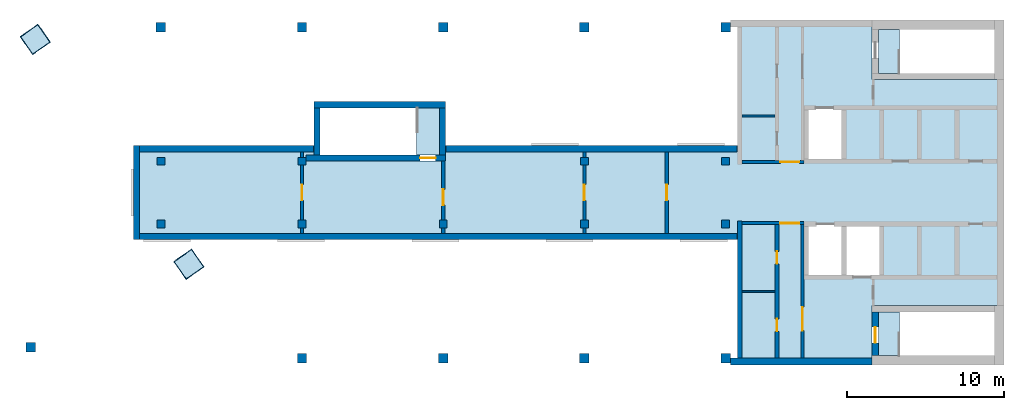
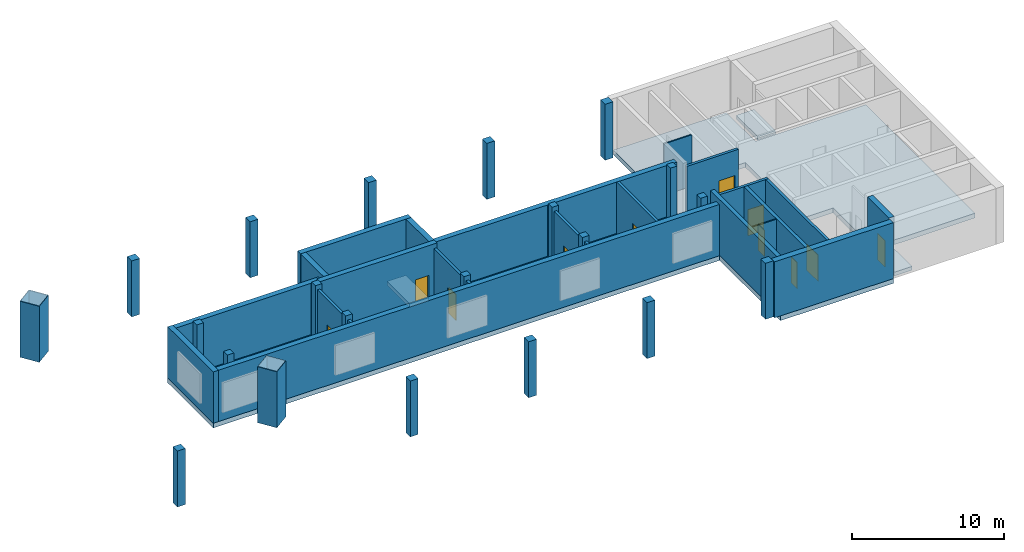
# One storey, part 1 of 3: 21 columns, 21 walls, 11 doors, 4 slabs, 2 plates, 11 openings.
"""IFC4 building model written with IfcOpenShell, lengths in metres."""

import ifcopenshell
import ifcopenshell.guid

model = None  # the IFC model being written
_history = None  # IfcOwnerHistory: only IFC2X3 demands one
_inside = {}  # id of a spatial element -> (the spatial element, [elements in it])
_under = {}  # id of a project, library or spatial element -> (it, [spatial elements below it])
_declared = {}  # id of a project -> (the project, [libraries it declares])
_typed = {}  # id of a type object -> (the type object, [elements of that type])
_made_of = {}  # id of a material, layer set ... -> (it, [elements and type objects made of it])


def new_model(schema):
    """Start an empty IFC model of exactly this schema.

    Asked for "IFC4X3", IfcOpenShell would pick the latest addendum, in which some entities
    have other attributes; the version numbers below select the first issue.
    IFC2X3 requires an IfcOwnerHistory on every rooted entity: one is made here for all.
    """
    global model, _history
    if schema == "IFC4X3":
        model = ifcopenshell.file(schema_version=(4, 3, 0, 0))
    else:
        model = ifcopenshell.file(schema=schema)
    _inside.clear()
    _under.clear()
    _declared.clear()
    _typed.clear()
    _made_of.clear()
    _history = None
    if model.schema == "IFC2X3":
        org = make("IfcOrganization", Name="unknown")
        user = make(
            "IfcPersonAndOrganization",
            ThePerson=make("IfcPerson", FamilyName="unknown"),
            TheOrganization=org,
        )
        app = make(
            "IfcApplication",
            ApplicationDeveloper=org,
            Version="unknown",
            ApplicationFullName="unknown",
            ApplicationIdentifier="unknown",
        )
        _history = make(
            "IfcOwnerHistory",
            OwningUser=user,
            OwningApplication=app,
            ChangeAction="ADDED",
            CreationDate=0,
        )
    return model


def make(cls, **values):
    """One entity of the class cls with the attributes given. An attribute that is None is left unset."""
    return model.create_entity(
        cls, **{name: value for name, value in values.items() if value is not None}
    )


def rooted(cls, **values):
    """An entity with a GlobalId (a new one), such as an element, a storey or a relation."""
    return make(cls, GlobalId=ifcopenshell.guid.new(), OwnerHistory=_history, **values)


def si_unit(unit_type, name, prefix=None):
    """IfcSIUnit, for example si_unit("LENGTHUNIT", "METRE", prefix="MILLI")."""
    return make("IfcSIUnit", UnitType=unit_type, Prefix=prefix, Name=name)


def assignment(units):
    """IfcUnitAssignment: the units of a project."""
    return None if units is None else make("IfcUnitAssignment", Units=units)


def point(xyz):
    """IfcCartesianPoint."""
    return None if xyz is None else make("IfcCartesianPoint", Coordinates=xyz)


def direction(xyz):
    """IfcDirection."""
    return None if xyz is None else make("IfcDirection", DirectionRatios=xyz)


def frame(location, z_axis=None, x_axis=None):
    """IfcAxis2Placement3D, a coordinate frame: its origin and axes. An axis left out is left unset."""
    return make(
        "IfcAxis2Placement3D",
        Location=point(location),
        Axis=direction(z_axis),
        RefDirection=direction(x_axis),
    )


def frame_2d(location, x_axis=None):
    """IfcAxis2Placement2D, a coordinate frame in the plane: its origin and x axis."""
    return make(
        "IfcAxis2Placement2D", Location=point(location), RefDirection=direction(x_axis)
    )


def origin():
    """The frame at (0, 0, 0) with its axes left unset."""
    return frame((0.0, 0.0, 0.0))


def origin_2d():
    """The frame at (0, 0) in the plane with its x axis left unset."""
    return frame_2d((0.0, 0.0))


def place(relative_to, where):
    """IfcLocalPlacement: puts the frame where relative to a parent placement (None: the world)."""
    return make(
        "IfcLocalPlacement", PlacementRelTo=relative_to, RelativePlacement=where
    )


def context(
    kind, dimensions, precision=None, world=None, true_north=None, identifier=None
):
    """IfcGeometricRepresentationContext, for example the 3D "Model" context."""
    return make(
        "IfcGeometricRepresentationContext",
        ContextIdentifier=identifier,
        ContextType=kind,
        CoordinateSpaceDimension=dimensions,
        Precision=precision,
        WorldCoordinateSystem=world,
        TrueNorth=true_north,
    )


def subcontext(parent, identifier, kind, view, scale=None):
    """IfcGeometricRepresentationSubContext, for example "Body" below "Model"."""
    return make(
        "IfcGeometricRepresentationSubContext",
        ContextIdentifier=identifier,
        ContextType=kind,
        ParentContext=parent,
        TargetScale=scale,
        TargetView=view,
    )


def project(units=None, contexts=None):
    """IfcProject with its units and contexts."""
    return rooted(
        "IfcProject",
        Name="project",
        RepresentationContexts=contexts,
        UnitsInContext=assignment(units),
    )


def spatial(cls, under=None, at=None, **own):
    """A site, building, storey or space (cls), placed at a placement, below another one or the project."""
    s = rooted(cls, ObjectPlacement=at, **own)
    if under is not None:
        _under.setdefault(under.id(), (under, []))[1].append(s)
    return s


def polyline(points):
    """IfcPolyline through the points."""
    return make("IfcPolyline", Points=[point(p) for p in points])


def profile(cls, at=None, kind="AREA", **sizes):
    """A parametric profile (cls). Its sizes go by their IFC names, for example OverallWidth=200.0."""
    return make(cls, ProfileType=kind, Position=at, **sizes)


def rectangle(**sizes):
    """IfcRectangleProfileDef."""
    return profile("IfcRectangleProfileDef", **sizes)


def hollow_rectangle(**sizes):
    """IfcRectangleHollowProfileDef."""
    return profile("IfcRectangleHollowProfileDef", **sizes)


def outline(outer, holes=None, kind="AREA"):
    """IfcArbitraryClosedProfileDef: a profile drawn as a closed curve; with holes, ...WithVoids."""
    if holes is None:
        return make("IfcArbitraryClosedProfileDef", ProfileType=kind, OuterCurve=outer)
    return make(
        "IfcArbitraryProfileDefWithVoids",
        ProfileType=kind,
        OuterCurve=outer,
        InnerCurves=holes,
    )


def extrude(swept, where, along, depth):
    """IfcExtrudedAreaSolid: the profile swept, set in the frame where, extruded along a direction by depth."""
    return make(
        "IfcExtrudedAreaSolid",
        SweptArea=swept,
        Position=where,
        ExtrudedDirection=direction(along),
        Depth=depth,
    )


def shape(context_of_items, identifier, shape_type, items):
    """IfcShapeRepresentation: the items that make up one representation, for example the "Body"."""
    return make(
        "IfcShapeRepresentation",
        ContextOfItems=context_of_items,
        RepresentationIdentifier=identifier,
        RepresentationType=shape_type,
        Items=items,
    )


def material(Name=None, Category=None):
    """IfcMaterial."""
    return make("IfcMaterial", Name=Name, Category=Category)


def layer(
    of_material, thickness, ventilated=None, Name=None, Category=None, Priority=None
):
    """IfcMaterialLayer: one layer of a wall or slab, of a material (None: an air gap)."""
    return make(
        "IfcMaterialLayer",
        Material=of_material,
        LayerThickness=thickness,
        IsVentilated=ventilated,
        Name=Name,
        Category=Category,
        Priority=Priority,
    )


def layer_set(layers, Name=None):
    """IfcMaterialLayerSet."""
    return make("IfcMaterialLayerSet", MaterialLayers=layers, LayerSetName=Name)


def material_profile(
    of_material, cross_section, Name=None, Category=None, Priority=None
):
    """IfcMaterialProfile: a cross section and its material."""
    return make(
        "IfcMaterialProfile",
        Name=Name,
        Material=of_material,
        Profile=cross_section,
        Priority=Priority,
        Category=Category,
    )


def profile_set(profiles, Name=None, composite=None):
    """IfcMaterialProfileSet."""
    return make(
        "IfcMaterialProfileSet",
        Name=Name,
        MaterialProfiles=profiles,
        CompositeProfile=composite,
    )


def made_of(thing, what):
    """Note that an element or type object is made of a material, layer set ...; save() writes the relation."""
    if what is not None:
        _made_of.setdefault(what.id(), (what, []))[1].append(thing)
    return thing


def type_object(cls, material=None, **own):
    """A type object (cls), such as IfcWallType, which elements share."""
    return made_of(rooted(cls, **own), material)


def element(
    cls,
    number,
    at=None,
    inside=None,
    cuts=None,
    type_object=None,
    material=None,
    context=None,
    identifier="Body",
    shape_type=None,
    held_by="IfcProductDefinitionShape",
    body=None,
    shapes=None,
    **own,
):
    """One element of the class cls, such as IfcWall. Its Tag is "e" and its number.

    at: its placement. inside: the storey or other place that contains it. cuts: it is an
    opening in that element (IfcRelVoidsElement). A single representation is given by context,
    identifier, shape_type and body (its items); several are given by shapes. held_by: the class
    of the entity that holds the representations. save() writes the other relations.
    """
    e = rooted(cls, Tag="e%d" % number, ObjectPlacement=at, **own)
    if body is not None:
        shapes = [shape(context, identifier, shape_type, body)]
    if shapes is not None:
        e.Representation = make(held_by, Representations=shapes)
    if inside is not None:
        _inside.setdefault(inside.id(), (inside, []))[1].append(e)
    if cuts is not None:
        rooted(
            "IfcRelVoidsElement", RelatingBuildingElement=cuts, RelatedOpeningElement=e
        )
    if type_object is not None:
        _typed.setdefault(type_object.id(), (type_object, []))[1].append(e)
    return made_of(e, material)


def fill(opening, filler):
    """IfcRelFillsElement: the door or window that sits in an opening."""
    return rooted(
        "IfcRelFillsElement",
        RelatingOpeningElement=opening,
        RelatedBuildingElement=filler,
    )


def aggregate(whole, parts):
    """IfcRelAggregates: a whole, such as a stair, and the parts it consists of."""
    return rooted("IfcRelAggregates", RelatingObject=whole, RelatedObjects=parts)


def save(model, path):
    """Write the relations noted so far, then the file.

    IfcRelAggregates (storeys below a building ...), IfcRelContainedInSpatialStructure (elements
    in a storey), IfcRelDefinesByType, IfcRelAssociatesMaterial and IfcRelDeclares: one each for
    every whole, place, type object, material and project.
    """
    for whole, parts in _under.values():
        aggregate(whole, parts)
    for where, things in _inside.values():
        rooted(
            "IfcRelContainedInSpatialStructure",
            RelatedElements=things,
            RelatingStructure=where,
        )
    for kind, things in _typed.values():
        rooted("IfcRelDefinesByType", RelatedObjects=things, RelatingType=kind)
    for what, things in _made_of.values():
        rooted("IfcRelAssociatesMaterial", RelatedObjects=things, RelatingMaterial=what)
    for by, libraries in _declared.values():
        rooted("IfcRelDeclares", RelatingContext=by, RelatedDefinitions=libraries)
    model.write(path)


model = new_model("IFC4")

# Units and contexts
model_context = context("Model", 3, precision=1e-05, world=origin(), true_north=direction((0.0, 1.0)))
body_context = subcontext(model_context, "Body", "Model", "MODEL_VIEW")
ifc_project = project(units=[si_unit("LENGTHUNIT", "METRE"), si_unit("AREAUNIT", "SQUARE_METRE"), si_unit("VOLUMEUNIT", "CUBIC_METRE"), si_unit("PLANEANGLEUNIT", "RADIAN"), si_unit("MASSUNIT", "GRAM", prefix="KILO")], contexts=[model_context])

# Site, building, storey
site_placement = place(None, origin())
site = spatial("IfcSite", under=ifc_project, at=site_placement, CompositionType="ELEMENT")
building_placement = place(site_placement, origin())
building = spatial("IfcBuilding", under=site, at=building_placement, Name="Skarvind Civic Tower", CompositionType="ELEMENT")
storey_placement = place(building_placement, frame((0.0, 0.0, 295.5)))
storey = spatial("IfcBuildingStorey", under=building, at=storey_placement, Name="L70", CompositionType="ELEMENT", Elevation=295.5)

# Columns
ifc_material_1 = material(Name="Concrete C60", Category="concrete")
ifc_material_profile_1 = material_profile(ifc_material_1, rectangle(XDim=0.5, YDim=0.5, at=origin_2d()), Name="RC-500x500")
ifc_profile_set_1 = profile_set([ifc_material_profile_1], Name="Concrete C60")
column_type_1 = type_object("IfcColumnType", Name="Column RC-500x500 C60", PredefinedType="COLUMN", material=ifc_profile_set_1)
for number, where, z_axis, x_axis, name in (
    (1, (54.25, 130.0, 0.0), (0.0, 0.0, 1.0), (1.0, 0.0, 0.0), "Column wing 1 north inner 02 L70"),
    (2, (63.25, 130.0, 0.0), (0.0, 0.0, 1.0), (1.0, 0.0, 0.0), "Column wing 1 north inner 03 L70"),
    (3, (81.25, 130.0, 0.0), (0.0, 0.0, 1.0), (1.0, 0.0, 0.0), "Column wing 1 north inner 05 L70"),
    (4, (90.25, 130.0, 0.0), (0.0, 0.0, 1.0), (1.0, 0.0, 0.0), "Column wing 1 north inner 06 L70"),
    (5, (54.25, 126.0, 0.0), (0.0, 0.0, 1.0), (1.0, 0.0, 0.0), "Column wing 1 south inner 02 L70"),
    (6, (63.25, 126.0, 0.0), (0.0, 0.0, 1.0), (1.0, 0.0, 0.0), "Column wing 1 south inner 03 L70"),
    (7, (72.25, 126.0, 0.0), (0.0, 0.0, 1.0), (1.0, 0.0, 0.0), "Column wing 1 south inner 04 L70"),
    (8, (81.25, 126.0, 0.0), (0.0, 0.0, 1.0), (1.0, 0.0, 0.0), "Column wing 1 south inner 05 L70"),
    (9, (90.25, 126.0, 0.0), (0.0, 0.0, 1.0), (1.0, 0.0, 0.0), "Column wing 1 south inner 06 L70"),
):
    element("IfcColumn", number, at=place(storey_placement, frame(where, z_axis=z_axis, x_axis=x_axis)), inside=storey, type_object=column_type_1, Name=name, PredefinedType="COLUMN", context=body_context, shape_type="SweptSolid", body=[
        extrude(rectangle(XDim=0.5, YDim=0.5, at=origin_2d()), origin(), (0.0, 0.0, 1.0), 4.5),
    ])
ifc_material_profile_2 = material_profile(ifc_material_1, rectangle(XDim=0.60009765625, YDim=0.60009765625, at=origin_2d()), Name="RC-600x600")
ifc_profile_set_2 = profile_set([ifc_material_profile_2], Name="Concrete C60")
column_type_2 = type_object("IfcColumnType", Name="Column RC-600x600 C60", PredefinedType="COLUMN", material=ifc_profile_set_2)
for number, where, z_axis, x_axis, name in (
    (10, (54.25, 138.550048828125, 0.0), (0.0, 0.0, 1.0), (1.0, 0.0, 0.0), "Column wing 1 north perimeter 02 L70"),
    (11, (63.25, 138.550048828125, 0.0), (0.0, 0.0, 1.0), (1.0, 0.0, 0.0), "Column wing 1 north perimeter 03 L70"),
    (12, (72.25, 138.550048828125, 0.0), (0.0, 0.0, 1.0), (1.0, 0.0, 0.0), "Column wing 1 north perimeter 04 L70"),
    (13, (81.25, 138.550048828125, 0.0), (0.0, 0.0, 1.0), (1.0, 0.0, 0.0), "Column wing 1 north perimeter 05 L70"),
    (14, (90.25, 138.550048828125, 0.0), (0.0, 0.0, 1.0), (1.0, 0.0, 0.0), "Column wing 1 north perimeter 06 L70"),
    (15, (45.95166015625, 118.151611328125, 0.0), (0.0, 0.0, 1.0), (1.0, 0.0, 0.0), "Column wing 1 south perimeter 01 L70"),
    (16, (63.25, 117.449951171875, 0.0), (0.0, 0.0, 1.0), (1.0, 0.0, 0.0), "Column wing 1 south perimeter 03 L70"),
    (17, (72.25, 117.449951171875, 0.0), (0.0, 0.0, 1.0), (1.0, 0.0, 0.0), "Column wing 1 south perimeter 04 L70"),
    (18, (81.25, 117.449951171875, 0.0), (0.0, 0.0, 1.0), (1.0, 0.0, 0.0), "Column wing 1 south perimeter 05 L70"),
    (19, (90.25, 117.449951171875, 0.0), (0.0, 0.0, 1.0), (1.0, 0.0, 0.0), "Column wing 1 south perimeter 06 L70"),
):
    element("IfcColumn", number, at=place(storey_placement, frame(where, z_axis=z_axis, x_axis=x_axis)), inside=storey, type_object=column_type_2, Name=name, PredefinedType="COLUMN", context=body_context, shape_type="SweptSolid", body=[
        extrude(rectangle(XDim=0.60009765625, YDim=0.60009765625, at=origin_2d()), origin(), (0.0, 0.0, 1.0), 4.5),
    ])
ifc_material_2 = material(Name="Composite concrete-filled steel tube, Steel SM355 with Concrete C60", Category="concrete")
ifc_material_profile_3 = material_profile(ifc_material_2, hollow_rectangle(XDim=1.39990234375, YDim=1.39990234375, WallThickness=0.02490234375, at=origin_2d()), Name="BOX-1400x1400x25")
ifc_profile_set_3 = profile_set([ifc_material_profile_3], Name="Composite concrete-filled steel tube, Steel SM355 with Concrete C60")
column_type_3 = type_object("IfcColumnType", Name="Mega column BOX-1400x1400x25 filled C60", PredefinedType="COLUMN", material=ifc_profile_set_3)
for number, where, z_axis, x_axis, name in (
    (20, (46.2470703125, 137.762451171875, 0.0), (0.0, 0.0, 1.0), (0.573576436351, -0.819152044289, 0.0), "Mega column 2 L70"),
    (21, (56.0361328125, 123.43017578125, 0.0), (0.0, 0.0, 1.0), (0.573576436351, -0.819152044289, 0.0), "Mega column 4 L70"),
):
    element("IfcColumn", number, at=place(storey_placement, frame(where, z_axis=z_axis, x_axis=x_axis)), inside=storey, type_object=column_type_3, Name=name, PredefinedType="COLUMN", context=body_context, shape_type="SweptSolid", body=[
        extrude(hollow_rectangle(XDim=1.39990234375, YDim=1.39990234375, WallThickness=0.02490234375, at=origin_2d()), origin(), (0.0, 0.0, 1.0), 4.5),
    ])

# Slab
ifc_material_3 = material(Name="Concrete C50", Category="concrete")
ifc_layer_1 = layer(ifc_material_3, 0.375)
ifc_layer_set_1 = layer_set([ifc_layer_1], Name="Floor slab 375 C50")
slab_type_1 = type_object("IfcSlabType", Name="Floor slab 375 C50", PredefinedType="FLOOR", material=ifc_layer_set_1)
slab_1_placement = place(storey_placement, frame((0.0, 0.0, -0.375)))
element("IfcSlab", 22, at=slab_1_placement, inside=storey, type_object=slab_type_1, Name="Floor slab L70 1", PredefinedType="FLOOR", context=body_context, shape_type="SweptSolid", body=[
    extrude(outline(polyline([(99.60009765625, 117.0), (99.60009765625, 120.800048828125), (108.0, 120.800048828125), (108.0, 135.199951171875), (99.60009765625, 135.199951171875), (99.60009765625, 139.0), (91.0, 139.0), (91.0, 131.0), (72.39990234375, 131.0), (72.39990234375, 130.0), (64.0, 130.0), (64.0, 131.0), (52.5, 131.0), (52.5, 125.0), (91.0, 125.0), (91.0, 117.0), (99.60009765625, 117.0)]), holes=[polyline([(97.800048828125, 126.0), (100.199951171875, 126.0), (100.199951171875, 122.60009765625), (97.800048828125, 122.60009765625), (95.39990234375, 122.60009765625), (95.39990234375, 126.0), (97.800048828125, 126.0)]), polyline([(95.39990234375, 130.0), (95.39990234375, 133.39990234375), (97.800048828125, 133.39990234375), (97.800048828125, 130.0), (95.39990234375, 130.0)])]), origin(), (0.0, 0.0, 1.0), 0.375),
])

# Plates
ifc_material_4 = material(Name="Steel SM355", Category="steel")
ifc_layer_2 = layer(ifc_material_4, 0.0400390625)
ifc_layer_set_2 = layer_set([ifc_layer_2], Name="Mega column cap plate 40")
plate_type = type_object("IfcPlateType", Name="Mega column cap plate 40", PredefinedType="USERDEFINED", material=ifc_layer_set_2)
for number, where, z_axis, x_axis, name in (
    (23, (46.2470703125, 137.762451171875, 4.5), (0.0, 0.0, 1.0), (0.573576436351, -0.819152044289, 0.0), "Mega column cap plate 2 L70"),
    (24, (56.0361328125, 123.43017578125, 4.5), (0.0, 0.0, 1.0), (0.573576436351, -0.819152044289, 0.0), "Mega column cap plate 4 L70"),
):
    element("IfcPlate", number, at=place(storey_placement, frame(where, z_axis=z_axis, x_axis=x_axis)), inside=storey, type_object=plate_type, Name=name, ObjectType="CAP PLATE", PredefinedType="USERDEFINED", context=body_context, shape_type="SweptSolid", body=[
        extrude(rectangle(XDim=1.39990234375, YDim=1.39990234375, at=origin_2d()), origin(), (0.0, 0.0, 1.0), 0.0400390625),
    ])

# Slabs
ifc_material_5 = material(Name="Concrete C40/50", Category="concrete")
ifc_layer_3 = layer(ifc_material_5, 0.300048828125)
ifc_layer_set_3 = layer_set([ifc_layer_3], Name="Stair floor landing slab 300")
slab_type_2 = type_object("IfcSlabType", Name="Stair floor landing slab 300", PredefinedType="LANDING", material=ifc_layer_set_3)
slab_2_placement = place(storey_placement, frame((0.0, 0.0, -0.300048828125)))
element("IfcSlab", 25, at=slab_2_placement, inside=storey, type_object=slab_type_2, Name="Stair floor landing", PredefinedType="LANDING", context=body_context, shape_type="SweptSolid", body=[
    extrude(outline(polyline([(101.3505859375, 138.400634765625), (101.3505859375, 135.599365234375), (99.99951171875, 135.599365234375), (99.99951171875, 138.400634765625), (101.3505859375, 138.400634765625)])), origin(), (0.0, 0.0, 1.0), 0.300048828125),
])
slab_3_placement = place(storey_placement, frame((0.0, 0.0, -0.300048828125)))
element("IfcSlab", 26, at=slab_3_placement, inside=storey, type_object=slab_type_2, Name="Stair floor landing", PredefinedType="LANDING", context=body_context, shape_type="SweptSolid", body=[
    extrude(outline(polyline([(101.3505859375, 120.400634765625), (101.3505859375, 117.599365234375), (99.99951171875, 117.599365234375), (99.99951171875, 120.400634765625), (101.3505859375, 120.400634765625)])), origin(), (0.0, 0.0, 1.0), 0.300048828125),
])
slab_4_placement = place(storey_placement, frame((0.0, 0.0, -0.300048828125)))
element("IfcSlab", 27, at=slab_4_placement, inside=storey, type_object=slab_type_2, Name="Stair floor landing", PredefinedType="LANDING", context=body_context, shape_type="SweptSolid", body=[
    extrude(outline(polyline([(70.54931640625, 130.3994140625), (70.54931640625, 133.400634765625), (72.00048828125, 133.400634765625), (72.00048828125, 130.3994140625), (70.54931640625, 130.3994140625)])), origin(), (0.0, 0.0, 1.0), 0.300048828125),
])

# Wall, opening, door
ifc_material_6 = material(Name="Fire-rated masonry partition", Category="masonry")
ifc_layer_4 = layer(ifc_material_6, 0.199951171875)
ifc_layer_set_4 = layer_set([ifc_layer_4], Name="Core enclosure wall 200")
wall_type_1 = type_object("IfcWallType", Name="Core enclosure wall 200", PredefinedType="PARTITIONING", material=ifc_layer_set_4)
wall_1_placement = place(storey_placement, frame((95.25, 126.050048828125, 0.0), z_axis=(0.0, 0.0, 1.0), x_axis=(-1.0, 0.0, 0.0)))
wall_1 = element("IfcWall", 28, at=wall_1_placement, inside=storey, type_object=wall_type_1, Name="Core wall C1", PredefinedType="PARTITIONING", context=body_context, shape_type="SweptSolid", body=[
    extrude(rectangle(XDim=3.949951171875, YDim=0.199951171875, at=frame_2d((1.97509765625, 0.0))), origin(), (0.0, 0.0, 1.0), 4.125),
])
opening_1_placement = place(wall_1_placement, frame((0.300048828125, 0.0, 0.0)))
opening_1 = element("IfcOpeningElement", 29, at=opening_1_placement, cuts=wall_1, Name="Opening D-L70-C1-05", PredefinedType="OPENING", context=body_context, shape_type="SweptSolid", body=[
    extrude(rectangle(XDim=1.199951171875, YDim=2.10009765625, at=frame_2d((0.60009765625, 1.050048828125))), frame((0.0, 0.10986328125, 0.0), z_axis=(0.0, -1.0, 0.0), x_axis=(1.0, 0.0, 0.0)), (0.0, 0.0, 1.0), 0.219970703125),
])
ifc_material_7 = material(Name="Fire-rated steel door", Category="steel")
door_type_1 = type_object("IfcDoorType", Name="Core lobby door 1200", OperationType="NOTDEFINED", PredefinedType="DOOR", material=ifc_material_7)
door_1_placement = place(opening_1_placement, origin())
door_1 = element("IfcDoor", 30, at=door_1_placement, inside=storey, type_object=door_type_1, Name="Fire door", OperationType="DOUBLE_DOOR_SINGLE_SWING", OverallHeight=2.10009765625, OverallWidth=1.199951171875, PredefinedType="DOOR", context=body_context, shape_type="SweptSolid", body=[
    extrude(rectangle(XDim=1.199951171875, YDim=2.10009765625, at=frame_2d((0.60009765625, 1.050048828125))), frame((0.0, 0.02490234375, 0.0), z_axis=(0.0, -1.0, 0.0), x_axis=(1.0, 0.0, 0.0)), (0.0, 0.0, 1.0), 0.050048828125),
])
fill(opening_1, door_1)

wall_2_placement = place(storey_placement, frame((95.14990234375, 117.449951171875, 0.0), z_axis=(0.0, 0.0, 1.0), x_axis=(0.0, 1.0, 0.0)))
wall_2 = element("IfcWall", 31, at=wall_2_placement, inside=storey, type_object=wall_type_1, Name="Core wall C1", PredefinedType="PARTITIONING", context=body_context, shape_type="SweptSolid", body=[
    extrude(rectangle(XDim=8.5, YDim=0.199951171875, at=frame_2d((4.25, 0.0))), origin(), (0.0, 0.0, 1.0), 4.125),
])
opening_2_placement = place(wall_2_placement, frame((1.75, 0.0, 0.0)))
opening_2 = element("IfcOpeningElement", 32, at=opening_2_placement, cuts=wall_2, Name="Opening D-L70-C1-06", PredefinedType="OPENING", context=body_context, shape_type="SweptSolid", body=[
    extrude(rectangle(XDim=1.5, YDim=2.10009765625, at=frame_2d((0.75, 1.050048828125))), frame((0.0, 0.10986328125, 0.0), z_axis=(0.0, -1.0, 0.0), x_axis=(1.0, 0.0, 0.0)), (0.0, 0.0, 1.0), 0.219970703125),
])
door_type_2 = type_object("IfcDoorType", Name="Fire door 1500", OperationType="NOTDEFINED", PredefinedType="DOOR", material=ifc_material_7)
door_2_placement = place(opening_2_placement, origin())
door_2 = element("IfcDoor", 33, at=door_2_placement, inside=storey, type_object=door_type_2, Name="Fire door", OperationType="DOUBLE_DOOR_SINGLE_SWING", OverallHeight=2.10009765625, OverallWidth=1.5, PredefinedType="DOOR", context=body_context, shape_type="SweptSolid", body=[
    extrude(rectangle(XDim=1.5, YDim=2.10009765625, at=frame_2d((0.75, 1.050048828125))), frame((0.0, 0.02490234375, 0.0), z_axis=(0.0, -1.0, 0.0), x_axis=(1.0, 0.0, 0.0)), (0.0, 0.0, 1.0), 0.050048828125),
])
fill(opening_2, door_2)

wall_3_placement = place(storey_placement, frame((91.300048828125, 129.949951171875, 0.0), z_axis=(0.0, 0.0, 1.0), x_axis=(1.0, 0.0, 0.0)))
wall_3 = element("IfcWall", 34, at=wall_3_placement, inside=storey, type_object=wall_type_1, Name="Core wall C1", PredefinedType="PARTITIONING", context=body_context, shape_type="SweptSolid", body=[
    extrude(rectangle(XDim=3.949951171875, YDim=0.199951171875, at=frame_2d((1.97509765625, 0.0))), origin(), (0.0, 0.0, 1.0), 4.125),
])
opening_3_placement = place(wall_3_placement, frame((2.449951171875, 0.0, 0.0)))
opening_3 = element("IfcOpeningElement", 35, at=opening_3_placement, cuts=wall_3, Name="Opening D-L70-C1-11", PredefinedType="OPENING", context=body_context, shape_type="SweptSolid", body=[
    extrude(rectangle(XDim=1.199951171875, YDim=2.10009765625, at=frame_2d((0.60009765625, 1.050048828125))), frame((0.0, 0.10986328125, 0.0), z_axis=(0.0, -1.0, 0.0), x_axis=(1.0, 0.0, 0.0)), (0.0, 0.0, 1.0), 0.219970703125),
])
door_3_placement = place(opening_3_placement, origin())
door_3 = element("IfcDoor", 36, at=door_3_placement, inside=storey, type_object=door_type_1, Name="Fire door", OperationType="DOUBLE_DOOR_SINGLE_SWING", OverallHeight=2.10009765625, OverallWidth=1.199951171875, PredefinedType="DOOR", context=body_context, shape_type="SweptSolid", body=[
    extrude(rectangle(XDim=1.199951171875, YDim=2.10009765625, at=frame_2d((0.60009765625, 1.050048828125))), frame((0.0, 0.02490234375, 0.0), z_axis=(0.0, -1.0, 0.0), x_axis=(1.0, 0.0, 0.0)), (0.0, 0.0, 1.0), 0.050048828125),
])
fill(opening_3, door_3)

# Walls
ifc_material_8 = material(Name="Fire-rated plasterboard partition")
ifc_layer_5 = layer(ifc_material_8, 0.10009765625)
ifc_layer_set_5 = layer_set([ifc_layer_5], Name="Core partition wall 100")
wall_type_2 = type_object("IfcWallType", Name="Core partition wall 100", PredefinedType="PARTITIONING", material=ifc_layer_set_5)
for number, where, z_axis, x_axis, name in (
    (37, (93.39990234375, 121.699951171875, 0.0), (0.0, 0.0, 1.0), (-1.0, 0.0, 0.0), "Core wall C1"),
    (38, (91.300048828125, 132.8798828125, 0.0), (0.0, 0.0, 1.0), (1.0, 0.0, 0.0), "Core wall C1"),
):
    element("IfcWall", number, at=place(storey_placement, frame(where, z_axis=z_axis, x_axis=x_axis)), inside=storey, type_object=wall_type_2, Name=name, PredefinedType="PARTITIONING", context=body_context, shape_type="SweptSolid", body=[
        extrude(rectangle(XDim=2.099853515625, YDim=0.10009765625, at=frame_2d((1.0498046875, 0.0))), origin(), (0.0, 0.0, 1.0), 4.125),
    ])
ifc_layer_6 = layer(ifc_material_1, 0.300048828125)
ifc_layer_set_6 = layer_set([ifc_layer_6], Name="Core wall 300 C60")
wall_type_3 = type_object("IfcWallType", Name="Core wall 300 C60", PredefinedType="SHEAR", material=ifc_layer_set_6)
wall_4_placement = place(storey_placement, frame((91.14990234375, 126.199951171875, 0.0), z_axis=(0.0, 0.0, 1.0), x_axis=(0.0, -1.0, 0.0)))
element("IfcWall", 39, at=wall_4_placement, inside=storey, type_object=wall_type_3, Name="Core wall C1 north inner face L70", PredefinedType="SHEAR", context=body_context, shape_type="SweptSolid", body=[
    extrude(rectangle(XDim=8.75, YDim=0.300048828125, at=frame_2d((4.375, 0.0))), origin(), (0.0, 0.0, 1.0), 4.5),
])

# Wall, opening, door
ifc_layer_7 = layer(ifc_material_1, 0.39990234375)
ifc_layer_set_7 = layer_set([ifc_layer_7], Name="Core wall 400 C60")
wall_type_4 = type_object("IfcWallType", Name="Core wall 400 C60", PredefinedType="SHEAR", material=ifc_layer_set_7)
wall_5_placement = place(storey_placement, frame((99.800048828125, 120.39990234375, 0.0), z_axis=(0.0, 0.0, 1.0), x_axis=(0.0, -1.0, 0.0)))
wall_5 = element("IfcWall", 40, at=wall_5_placement, inside=storey, type_object=wall_type_4, Name="Core wall C1 north stair end L70", PredefinedType="SHEAR", context=body_context, shape_type="SweptSolid", body=[
    extrude(rectangle(XDim=2.7998046875, YDim=0.39990234375, at=frame_2d((1.39990234375, 0.0))), origin(), (0.0, 0.0, 1.0), 4.5),
])
opening_4_placement = place(wall_5_placement, frame((0.97509765625, 0.0, 0.0)))
opening_4 = element("IfcOpeningElement", 41, at=opening_4_placement, cuts=wall_5, Name="Opening D-L70-C1-07", PredefinedType="OPENING", context=body_context, shape_type="SweptSolid", body=[
    extrude(rectangle(XDim=1.0, YDim=2.10009765625, at=frame_2d((0.5, 1.050048828125))), frame((0.0, 0.2099609375, 0.0), z_axis=(0.0, -1.0, 0.0), x_axis=(1.0, 0.0, 0.0)), (0.0, 0.0, 1.0), 0.419921875),
])
door_type_3 = type_object("IfcDoorType", Name="Fire door 1000", OperationType="NOTDEFINED", PredefinedType="DOOR", material=ifc_material_7)
door_4_placement = place(opening_4_placement, origin())
door_4 = element("IfcDoor", 42, at=door_4_placement, inside=storey, type_object=door_type_3, Name="Fire door", OperationType="SINGLE_SWING_LEFT", OverallHeight=2.10009765625, OverallWidth=1.0, PredefinedType="DOOR", context=body_context, shape_type="SweptSolid", body=[
    extrude(rectangle(XDim=1.0, YDim=2.10009765625, at=frame_2d((0.5, 1.050048828125))), frame((0.0, 0.02490234375, 0.0), z_axis=(0.0, -1.0, 0.0), x_axis=(1.0, 0.0, 0.0)), (0.0, 0.0, 1.0), 0.050048828125),
])
fill(opening_4, door_4)

wall_6_placement = place(storey_placement, frame((63.5, 130.199951171875, 0.0), z_axis=(0.0, 0.0, 1.0), x_axis=(1.0, 0.0, 0.0)))
wall_6 = element("IfcWall", 43, at=wall_6_placement, inside=storey, type_object=wall_type_4, Name="Core wall CM inner L70", PredefinedType="SHEAR", context=body_context, shape_type="SweptSolid", body=[
    extrude(rectangle(XDim=8.89990234375, YDim=0.39990234375, at=frame_2d((4.449951171875, 0.0))), origin(), (0.0, 0.0, 1.0), 4.5),
])
opening_5_placement = place(wall_6_placement, frame((7.27490234375, 0.0, 0.0)))
opening_5 = element("IfcOpeningElement", 44, at=opening_5_placement, cuts=wall_6, Name="Opening D-L70-CM-01", PredefinedType="OPENING", context=body_context, shape_type="SweptSolid", body=[
    extrude(rectangle(XDim=1.0, YDim=2.10009765625, at=frame_2d((0.5, 1.050048828125))), frame((0.0, 0.2099609375, 0.0), z_axis=(0.0, -1.0, 0.0), x_axis=(1.0, 0.0, 0.0)), (0.0, 0.0, 1.0), 0.419921875),
])
door_5_placement = place(opening_5_placement, origin())
door_5 = element("IfcDoor", 45, at=door_5_placement, inside=storey, type_object=door_type_3, Name="Fire door", OperationType="SINGLE_SWING_LEFT", OverallHeight=2.10009765625, OverallWidth=1.0, PredefinedType="DOOR", context=body_context, shape_type="SweptSolid", body=[
    extrude(rectangle(XDim=1.0, YDim=2.10009765625, at=frame_2d((0.5, 1.050048828125))), frame((0.0, 0.02490234375, 0.0), z_axis=(0.0, -1.0, 0.0), x_axis=(1.0, 0.0, 0.0)), (0.0, 0.0, 1.0), 0.050048828125),
])
fill(opening_5, door_5)

# Walls
wall_7_placement = place(storey_placement, frame((64.0, 133.60009765625, 0.0), z_axis=(0.0, 0.0, 1.0), x_axis=(1.0, 0.0, 0.0)))
element("IfcWall", 46, at=wall_7_placement, inside=storey, type_object=wall_type_4, Name="Core wall CM outer L70", PredefinedType="SHEAR", context=body_context, shape_type="SweptSolid", body=[
    extrude(rectangle(XDim=8.39990234375, YDim=0.39990234375, at=frame_2d((4.199951171875, 0.0))), origin(), (0.0, 0.0, 1.0), 4.5),
])
for number, where, z_axis, x_axis, name in (
    (47, (64.199951171875, 130.39990234375, 0.0), (0.0, 0.0, 1.0), (0.0, 1.0, 0.0), "Core wall CM west L70"),
    (48, (72.199951171875, 130.39990234375, 0.0), (0.0, 0.0, 1.0), (0.0, 1.0, 0.0), "Core wall CM end L70"),
):
    element("IfcWall", number, at=place(storey_placement, frame(where, z_axis=z_axis, x_axis=x_axis)), inside=storey, type_object=wall_type_4, Name=name, PredefinedType="SHEAR", context=body_context, shape_type="SweptSolid", body=[
        extrude(rectangle(XDim=3.0, YDim=0.39990234375, at=frame_2d((1.5, 0.0))), origin(), (0.0, 0.0, 1.0), 4.5),
    ])
ifc_layer_8 = layer(ifc_material_1, 0.449951171875)
ifc_layer_set_8 = layer_set([ifc_layer_8], Name="Core wall 450 C60")
wall_type_5 = type_object("IfcWallType", Name="Core wall 450 C60", PredefinedType="SHEAR", material=ifc_layer_set_8)
wall_8_placement = place(storey_placement, frame((99.60009765625, 117.22509765625, 0.0), z_axis=(0.0, 0.0, 1.0), x_axis=(-1.0, 0.0, 0.0)))
element("IfcWall", 49, at=wall_8_placement, inside=storey, type_object=wall_type_5, Name="Core wall C1 north side L70", PredefinedType="SHEAR", context=body_context, shape_type="SweptSolid", body=[
    extrude(rectangle(XDim=9.050048828125, YDim=0.449951171875, at=frame_2d((4.52490234375, 0.0))), origin(), (0.0, 0.0, 1.0), 4.5),
])

# Wall, opening, door
ifc_material_9 = material(Name="Fire-rated blockwork wall, plastered", Category="masonry")
ifc_layer_9 = layer(ifc_material_9, 0.199951171875)
ifc_layer_set_9 = layer_set([ifc_layer_9], Name="FIRE WALL 200 EI 120")
wall_type_6 = type_object("IfcWallType", Name="FIRE WALL 200 EI 120", PredefinedType="PARTITIONING", material=ifc_layer_set_9)
wall_9_placement = place(storey_placement, frame((63.25, 130.60009765625, 0.0), z_axis=(0.0, 0.0, 1.0), x_axis=(0.0, -1.0, 0.0)))
wall_9 = element("IfcWall", 50, at=wall_9_placement, inside=storey, type_object=wall_type_6, Name="Crown partition L70 001", PredefinedType="PARTITIONING", context=body_context, shape_type="SweptSolid", body=[
    extrude(rectangle(XDim=5.2001953125, YDim=0.199951171875, at=frame_2d((2.60009765625, 0.0))), origin(), (0.0, 0.0, 1.0), 4.125),
])
opening_6_placement = place(wall_9_placement, frame((2.10009765625, 0.0, 0.0)))
opening_6 = element("IfcOpeningElement", 51, at=opening_6_placement, cuts=wall_9, Name="Opening L70-D201", PredefinedType="OPENING", context=body_context, shape_type="SweptSolid", body=[
    extrude(rectangle(XDim=1.0, YDim=2.10009765625, at=frame_2d((0.5, 1.050048828125))), frame((0.0, 0.10986328125, 0.0), z_axis=(0.0, -1.0, 0.0), x_axis=(1.0, 0.0, 0.0)), (0.0, 0.0, 1.0), 0.219970703125),
])
ifc_material_10 = material(Name="Painted steel fire door leaf", Category="steel")
door_type_4 = type_object("IfcDoorType", Name="FIRE DOOR 1000X2100 STEEL", OperationType="NOTDEFINED", PredefinedType="DOOR", material=ifc_material_10)
door_6_placement = place(opening_6_placement, origin())
door_6 = element("IfcDoor", 52, at=door_6_placement, inside=storey, type_object=door_type_4, Name="FIRE DOOR", OperationType="SINGLE_SWING_RIGHT", OverallHeight=2.10009765625, OverallWidth=1.0, PredefinedType="DOOR", context=body_context, shape_type="SweptSolid", body=[
    extrude(rectangle(XDim=1.0, YDim=2.10009765625, at=frame_2d((0.5, 1.050048828125))), frame((0.0, 0.02490234375, 0.0), z_axis=(0.0, -1.0, 0.0), x_axis=(1.0, 0.0, 0.0)), (0.0, 0.0, 1.0), 0.050048828125),
])
fill(opening_6, door_6)

ifc_layer_10 = layer(ifc_material_9, 0.199951171875)
ifc_layer_set_10 = layer_set([ifc_layer_10], Name="FIRE WALL 200 EI 60")
wall_type_7 = type_object("IfcWallType", Name="FIRE WALL 200 EI 60", PredefinedType="PARTITIONING", material=ifc_layer_set_10)
wall_10_placement = place(storey_placement, frame((72.25, 130.0, 0.0), z_axis=(0.0, 0.0, 1.0), x_axis=(0.0, -1.0, 0.0)))
wall_10 = element("IfcWall", 53, at=wall_10_placement, inside=storey, type_object=wall_type_7, Name="Crown partition L70 002", PredefinedType="PARTITIONING", context=body_context, shape_type="SweptSolid", body=[
    extrude(rectangle(XDim=4.6201171875, YDim=0.199951171875, at=frame_2d((2.31005859375, 0.0))), origin(), (0.0, 0.0, 1.0), 4.125),
])
opening_7_placement = place(wall_10_placement, frame((1.800048828125, 0.0, 0.0)))
opening_7 = element("IfcOpeningElement", 54, at=opening_7_placement, cuts=wall_10, Name="Opening L70-D202", PredefinedType="OPENING", context=body_context, shape_type="SweptSolid", body=[
    extrude(rectangle(XDim=1.0, YDim=2.10009765625, at=frame_2d((0.5, 1.050048828125))), frame((0.0, 0.10986328125, 0.0), z_axis=(0.0, -1.0, 0.0), x_axis=(1.0, 0.0, 0.0)), (0.0, 0.0, 1.0), 0.219970703125),
])
door_7_placement = place(opening_7_placement, origin())
door_7 = element("IfcDoor", 55, at=door_7_placement, inside=storey, type_object=door_type_4, Name="FIRE DOOR", OperationType="SINGLE_SWING_LEFT", OverallHeight=2.10009765625, OverallWidth=1.0, PredefinedType="DOOR", context=body_context, shape_type="SweptSolid", body=[
    extrude(rectangle(XDim=1.0, YDim=2.10009765625, at=frame_2d((0.5, 1.050048828125))), frame((0.0, 0.02490234375, 0.0), z_axis=(0.0, -1.0, 0.0), x_axis=(1.0, 0.0, 0.0)), (0.0, 0.0, 1.0), 0.050048828125),
])
fill(opening_7, door_7)

wall_11_placement = place(storey_placement, frame((81.25, 130.60009765625, 0.0), z_axis=(0.0, 0.0, 1.0), x_axis=(0.0, -1.0, 0.0)))
wall_11 = element("IfcWall", 56, at=wall_11_placement, inside=storey, type_object=wall_type_7, Name="Crown partition L70 003", PredefinedType="PARTITIONING", context=body_context, shape_type="SweptSolid", body=[
    extrude(rectangle(XDim=5.2001953125, YDim=0.199951171875, at=frame_2d((2.60009765625, 0.0))), origin(), (0.0, 0.0, 1.0), 4.125),
])
opening_8_placement = place(wall_11_placement, frame((2.10009765625, 0.0, 0.0)))
opening_8 = element("IfcOpeningElement", 57, at=opening_8_placement, cuts=wall_11, Name="Opening L70-D203", PredefinedType="OPENING", context=body_context, shape_type="SweptSolid", body=[
    extrude(rectangle(XDim=1.0, YDim=2.10009765625, at=frame_2d((0.5, 1.050048828125))), frame((0.0, 0.10986328125, 0.0), z_axis=(0.0, -1.0, 0.0), x_axis=(1.0, 0.0, 0.0)), (0.0, 0.0, 1.0), 0.219970703125),
])
door_8_placement = place(opening_8_placement, origin())
door_8 = element("IfcDoor", 58, at=door_8_placement, inside=storey, type_object=door_type_4, Name="FIRE DOOR", OperationType="SINGLE_SWING_RIGHT", OverallHeight=2.10009765625, OverallWidth=1.0, PredefinedType="DOOR", context=body_context, shape_type="SweptSolid", body=[
    extrude(rectangle(XDim=1.0, YDim=2.10009765625, at=frame_2d((0.5, 1.050048828125))), frame((0.0, 0.02490234375, 0.0), z_axis=(0.0, -1.0, 0.0), x_axis=(1.0, 0.0, 0.0)), (0.0, 0.0, 1.0), 0.050048828125),
])
fill(opening_8, door_8)

wall_12_placement = place(storey_placement, frame((86.5, 125.39990234375, 0.0), z_axis=(0.0, 0.0, 1.0), x_axis=(0.0, 1.0, 0.0)))
wall_12 = element("IfcWall", 59, at=wall_12_placement, inside=storey, type_object=wall_type_7, Name="Crown partition L70 004", PredefinedType="PARTITIONING", context=body_context, shape_type="SweptSolid", body=[
    extrude(rectangle(XDim=5.2001953125, YDim=0.199951171875, at=frame_2d((2.60009765625, 0.0))), origin(), (0.0, 0.0, 1.0), 4.125),
])
opening_9_placement = place(wall_12_placement, frame((2.10009765625, 0.0, 0.0)))
opening_9 = element("IfcOpeningElement", 60, at=opening_9_placement, cuts=wall_12, Name="Opening L70-D204", PredefinedType="OPENING", context=body_context, shape_type="SweptSolid", body=[
    extrude(rectangle(XDim=1.0, YDim=2.10009765625, at=frame_2d((0.5, 1.050048828125))), frame((0.0, 0.10986328125, 0.0), z_axis=(0.0, -1.0, 0.0), x_axis=(1.0, 0.0, 0.0)), (0.0, 0.0, 1.0), 0.219970703125),
])
door_9_placement = place(opening_9_placement, origin())
door_9 = element("IfcDoor", 61, at=door_9_placement, inside=storey, type_object=door_type_4, Name="FIRE DOOR", OperationType="SINGLE_SWING_LEFT", OverallHeight=2.10009765625, OverallWidth=1.0, PredefinedType="DOOR", context=body_context, shape_type="SweptSolid", body=[
    extrude(rectangle(XDim=1.0, YDim=2.10009765625, at=frame_2d((0.5, 1.050048828125))), frame((0.0, 0.02490234375, 0.0), z_axis=(0.0, -1.0, 0.0), x_axis=(1.0, 0.0, 0.0)), (0.0, 0.0, 1.0), 0.050048828125),
])
fill(opening_9, door_9)

# Wall, openings, doors
ifc_layer_11 = layer(ifc_material_6, 0.25)
ifc_layer_set_11 = layer_set([ifc_layer_11], Name="Service block wall 250")
wall_type_8 = type_object("IfcWallType", Name="Service block wall 250", PredefinedType="PARTITIONING", material=ifc_layer_set_11)
wall_13_placement = place(storey_placement, frame((93.52490234375, 117.449951171875, 0.0), z_axis=(0.0, 0.0, 1.0), x_axis=(0.0, 1.0, 0.0)))
wall_13 = element("IfcWall", 62, at=wall_13_placement, inside=storey, type_object=wall_type_8, Name="Core wall C1", PredefinedType="PARTITIONING", context=body_context, shape_type="SweptSolid", body=[
    extrude(rectangle(XDim=8.5, YDim=0.25, at=frame_2d((4.25, 0.0))), origin(), (0.0, 0.0, 1.0), 4.125),
])
opening_10_placement = place(wall_13_placement, frame((6.0, 0.0, 0.0)))
opening_10 = element("IfcOpeningElement", 63, at=opening_10_placement, cuts=wall_13, Name="Opening D-L70-C1-09", PredefinedType="OPENING", context=body_context, shape_type="SweptSolid", body=[
    extrude(rectangle(XDim=0.800048828125, YDim=2.10009765625, at=frame_2d((0.39990234375, 1.050048828125))), frame((0.0, 0.135009765625, 0.0), z_axis=(0.0, -1.0, 0.0), x_axis=(1.0, 0.0, 0.0)), (0.0, 0.0, 1.0), 0.27001953125),
])
opening_11_placement = place(wall_13_placement, frame((1.699951171875, 0.0, 0.0)))
opening_11 = element("IfcOpeningElement", 64, at=opening_11_placement, cuts=wall_13, Name="Opening D-L70-C1-10", PredefinedType="OPENING", context=body_context, shape_type="SweptSolid", body=[
    extrude(rectangle(XDim=0.800048828125, YDim=2.10009765625, at=frame_2d((0.39990234375, 1.050048828125))), frame((0.0, 0.135009765625, 0.0), z_axis=(0.0, -1.0, 0.0), x_axis=(1.0, 0.0, 0.0)), (0.0, 0.0, 1.0), 0.27001953125),
])
door_type_5 = type_object("IfcDoorType", Name="Core riser door 800", OperationType="NOTDEFINED", PredefinedType="DOOR", material=ifc_material_7)
door_10_placement = place(opening_10_placement, origin())
door_10 = element("IfcDoor", 65, at=door_10_placement, inside=storey, type_object=door_type_5, Name="Riser door", OperationType="SINGLE_SWING_LEFT", OverallHeight=2.10009765625, OverallWidth=0.800048828125, PredefinedType="DOOR", context=body_context, shape_type="SweptSolid", body=[
    extrude(rectangle(XDim=0.800048828125, YDim=2.10009765625, at=frame_2d((0.39990234375, 1.050048828125))), frame((0.0, 0.02490234375, 0.0), z_axis=(0.0, -1.0, 0.0), x_axis=(1.0, 0.0, 0.0)), (0.0, 0.0, 1.0), 0.050048828125),
])
fill(opening_10, door_10)
door_11_placement = place(opening_11_placement, origin())
door_11 = element("IfcDoor", 66, at=door_11_placement, inside=storey, type_object=door_type_5, Name="Riser door", OperationType="SINGLE_SWING_RIGHT", OverallHeight=2.10009765625, OverallWidth=0.800048828125, PredefinedType="DOOR", context=body_context, shape_type="SweptSolid", body=[
    extrude(rectangle(XDim=0.800048828125, YDim=2.10009765625, at=frame_2d((0.39990234375, 1.050048828125))), frame((0.0, 0.02490234375, 0.0), z_axis=(0.0, -1.0, 0.0), x_axis=(1.0, 0.0, 0.0)), (0.0, 0.0, 1.0), 0.050048828125),
])
fill(opening_11, door_11)

# Walls
ifc_material_11 = material(Name="Copper cladding on insulated backing")
ifc_layer_12 = layer(ifc_material_11, 0.39990234375)
ifc_layer_set_12 = layer_set([ifc_layer_12], Name="WX5 COPPER-CLAD PLANT WALL 400")
wall_type_9 = type_object("IfcWallType", Name="WX5 COPPER-CLAD PLANT WALL 400", PredefinedType="SOLIDWALL", material=ifc_layer_set_12)
wall_14_placement = place(storey_placement, frame((52.5, 130.800048828125, 0.0), z_axis=(0.0, 0.0, 1.0), x_axis=(1.0, 0.0, 0.0)))
element("IfcWall", 67, at=wall_14_placement, inside=storey, type_object=wall_type_9, Name="COPPER-CLAD PLANT WALL", PredefinedType="SOLIDWALL", context=body_context, shape_type="SweptSolid", body=[
    extrude(rectangle(XDim=11.47998046875, YDim=0.39990234375, at=frame_2d((5.739990234375, 0.0))), origin(), (0.0, 0.0, 1.0), 4.125),
])
wall_15_placement = place(storey_placement, frame((52.699951171875, 125.0, 0.0), z_axis=(0.0, 0.0, 1.0), x_axis=(0.0, 1.0, 0.0)))
element("IfcWall", 68, at=wall_15_placement, inside=storey, type_object=wall_type_9, Name="COPPER-CLAD PLANT WALL", PredefinedType="SOLIDWALL", context=body_context, shape_type="SweptSolid", body=[
    extrude(rectangle(XDim=6.0, YDim=0.39990234375, at=frame_2d((3.0, 0.0))), origin(), (0.0, 0.0, 1.0), 4.125),
])
wall_16_placement = place(storey_placement, frame((90.97998046875, 125.199951171875, 0.0), z_axis=(0.0, 0.0, 1.0), x_axis=(-1.0, 0.0, 0.0)))
element("IfcWall", 69, at=wall_16_placement, inside=storey, type_object=wall_type_9, Name="COPPER-CLAD PLANT WALL", PredefinedType="SOLIDWALL", context=body_context, shape_type="SweptSolid", body=[
    extrude(rectangle(XDim=38.47998046875, YDim=0.39990234375, at=frame_2d((19.239990234375, 0.0))), origin(), (0.0, 0.0, 1.0), 4.125),
])
wall_17_placement = place(storey_placement, frame((72.419921875, 130.800048828125, 0.0), z_axis=(0.0, 0.0, 1.0), x_axis=(1.0, 0.0, 0.0)))
element("IfcWall", 70, at=wall_17_placement, inside=storey, type_object=wall_type_9, Name="COPPER-CLAD PLANT WALL", PredefinedType="SOLIDWALL", context=body_context, shape_type="SweptSolid", body=[
    extrude(rectangle(XDim=18.56005859375, YDim=0.39990234375, at=frame_2d((9.280029296875, 0.0))), origin(), (0.0, 0.0, 1.0), 4.125),
])

save(model, "model.ifc")
